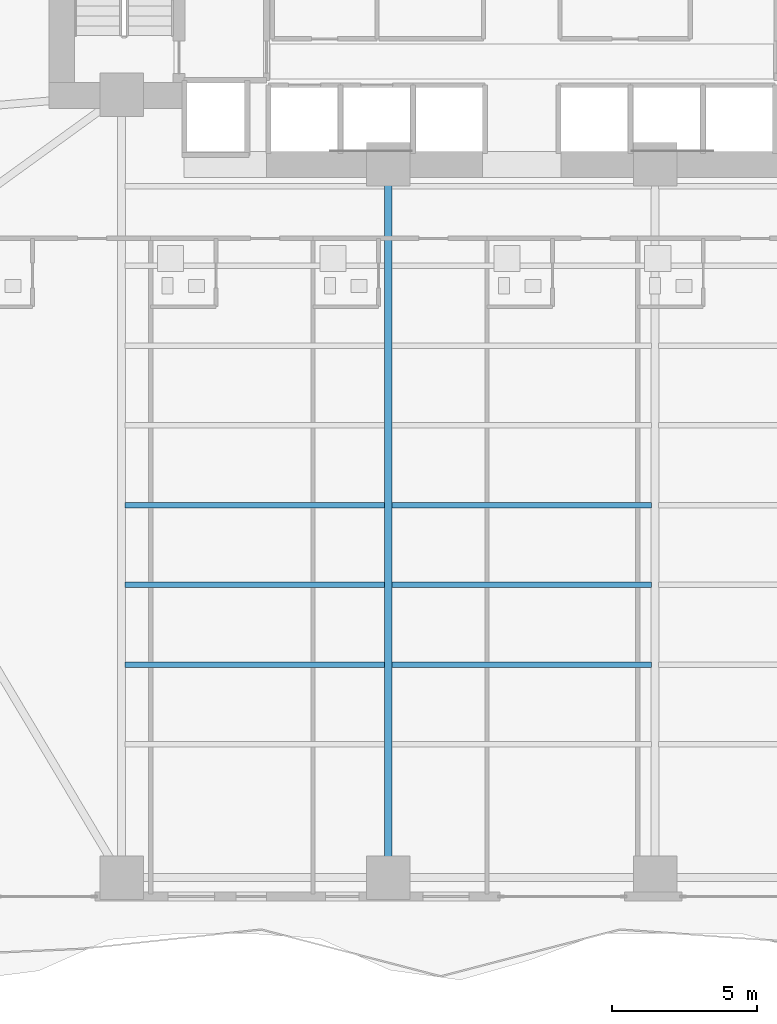
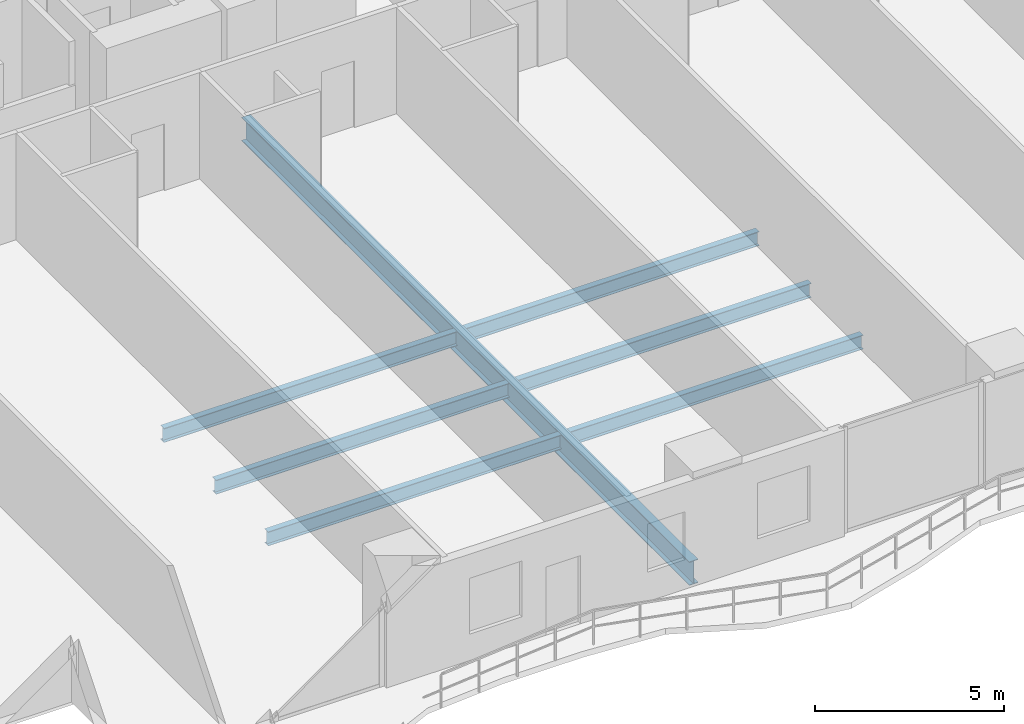
# One storey, part 5 of 28: 7 beams.
"""IFC4 building model written with IfcOpenShell, lengths in metres."""

from ifc_helpers import new_model, si_unit, direction, frame, origin, origin_2d, place, context, subcontext, project, spatial, i_section, extrude, material, material_profile, profile_set, type_object, element, save


model = new_model("IFC4")

# Units and contexts
model_context = context("Model", 3, precision=1e-05, world=origin(), true_north=direction((0.0, 1.0)))
body_context = subcontext(model_context, "Body", "Model", "MODEL_VIEW")
ifc_project = project(units=[si_unit("LENGTHUNIT", "METRE"), si_unit("AREAUNIT", "SQUARE_METRE"), si_unit("VOLUMEUNIT", "CUBIC_METRE"), si_unit("PLANEANGLEUNIT", "RADIAN"), si_unit("MASSUNIT", "GRAM", prefix="KILO")], contexts=[model_context])

# Site, building, storey
site_placement = place(None, origin())
site = spatial("IfcSite", under=ifc_project, at=site_placement, CompositionType="ELEMENT")
building_placement = place(site_placement, origin())
building = spatial("IfcBuilding", under=site, at=building_placement, Name="Zuhayl Quay Hotel", CompositionType="ELEMENT")
storey_placement = place(building_placement, frame((0.0, 0.0, 34.89990234375)))
storey = spatial("IfcBuildingStorey", under=building, at=storey_placement, Name="L07", CompositionType="ELEMENT", Elevation=34.89990234375)

# Beams
ifc_material = material(Name="Steel ASTM A992 Grade 50", Category="steel")
ifc_material_profile_1 = material_profile(ifc_material, i_section(OverallWidth=0.26708984375, OverallDepth=0.761962890625, WebThickness=0.014404296875, FlangeThickness=0.021484375, at=origin_2d()), Name="W30X116")
ifc_profile_set_1 = profile_set([ifc_material_profile_1], Name="Steel ASTM A992 Grade 50")
beam_type_1 = type_object("IfcBeamType", Name="BM_B1_W30X116", PredefinedType="BEAM", material=ifc_profile_set_1)
beam_1_placement = place(storey_placement, frame((-4.60009765625, -21.949951171875, -0.600830078125), z_axis=(0.0, 1.0, 0.0), x_axis=(-1.0, 0.0, 0.0)))
element("IfcBeam", 1, at=beam_1_placement, inside=storey, type_object=beam_type_1, Name="L07 Floor Beam FG_S_L07_2", PredefinedType="BEAM", context=body_context, shape_type="SweptSolid", body=[
    extrude(i_section(OverallWidth=0.26708984375, OverallDepth=0.761962890625, WebThickness=0.014404296875, FlangeThickness=0.021484375, at=origin_2d()), origin(), (0.0, 0.0, 1.0), 23.64990234375),
])
ifc_material_profile_2 = material_profile(ifc_material, i_section(OverallWidth=0.18994140625, OverallDepth=0.45703125, WebThickness=0.009033203125, FlangeThickness=0.014404296875, at=origin_2d()), Name="W18X50")
ifc_profile_set_2 = profile_set([ifc_material_profile_2], Name="Steel ASTM A992 Grade 50")
beam_type_2 = type_object("IfcBeamType", Name="BM_J2_W18X50", PredefinedType="JOIST", material=ifc_profile_set_2)
beam_2_placement = place(storey_placement, frame((-13.674560546875, -15.10009765625, -0.448486328125), z_axis=(1.0, 0.0, 0.0), x_axis=(0.0, 1.0, 0.0)))
element("IfcBeam", 2, at=beam_2_placement, inside=storey, type_object=beam_type_2, Name="L07 Floor Beam FJ_L07_4_1", PredefinedType="JOIST", context=body_context, shape_type="SweptSolid", body=[
    extrude(i_section(OverallWidth=0.18994140625, OverallDepth=0.45703125, WebThickness=0.009033203125, FlangeThickness=0.014404296875, at=origin_2d()), origin(), (0.0, 0.0, 1.0), 8.948974609375),
])
beam_3_placement = place(storey_placement, frame((-4.474609375, -15.10009765625, -0.448486328125), z_axis=(1.0, 0.0, 0.0), x_axis=(0.0, 1.0, 0.0)))
element("IfcBeam", 3, at=beam_3_placement, inside=storey, type_object=beam_type_2, Name="L07 Floor Beam FJ_L07_4_2", PredefinedType="JOIST", context=body_context, shape_type="SweptSolid", body=[
    extrude(i_section(OverallWidth=0.18994140625, OverallDepth=0.45703125, WebThickness=0.009033203125, FlangeThickness=0.014404296875, at=origin_2d()), origin(), (0.0, 0.0, 1.0), 8.94921875),
])
beam_4_placement = place(storey_placement, frame((-13.674560546875, -12.35009765625, -0.448486328125), z_axis=(1.0, 0.0, 0.0), x_axis=(0.0, 1.0, 0.0)))
element("IfcBeam", 4, at=beam_4_placement, inside=storey, type_object=beam_type_2, Name="L07 Floor Beam FJ_L07_5_1", PredefinedType="JOIST", context=body_context, shape_type="SweptSolid", body=[
    extrude(i_section(OverallWidth=0.18994140625, OverallDepth=0.45703125, WebThickness=0.009033203125, FlangeThickness=0.014404296875, at=origin_2d()), origin(), (0.0, 0.0, 1.0), 8.948974609375),
])
beam_5_placement = place(storey_placement, frame((-4.474609375, -12.35009765625, -0.448486328125), z_axis=(1.0, 0.0, 0.0), x_axis=(0.0, 1.0, 0.0)))
element("IfcBeam", 5, at=beam_5_placement, inside=storey, type_object=beam_type_2, Name="L07 Floor Beam FJ_L07_5_2", PredefinedType="JOIST", context=body_context, shape_type="SweptSolid", body=[
    extrude(i_section(OverallWidth=0.18994140625, OverallDepth=0.45703125, WebThickness=0.009033203125, FlangeThickness=0.014404296875, at=origin_2d()), origin(), (0.0, 0.0, 1.0), 8.94921875),
])
beam_6_placement = place(storey_placement, frame((-13.674560546875, -9.60009765625, -0.448486328125), z_axis=(1.0, 0.0, 0.0), x_axis=(0.0, 1.0, 0.0)))
element("IfcBeam", 6, at=beam_6_placement, inside=storey, type_object=beam_type_2, Name="L07 Floor Beam FJ_L07_6_1", PredefinedType="JOIST", context=body_context, shape_type="SweptSolid", body=[
    extrude(i_section(OverallWidth=0.18994140625, OverallDepth=0.45703125, WebThickness=0.009033203125, FlangeThickness=0.014404296875, at=origin_2d()), origin(), (0.0, 0.0, 1.0), 8.948974609375),
])
beam_7_placement = place(storey_placement, frame((-4.474609375, -9.60009765625, -0.448486328125), z_axis=(1.0, 0.0, 0.0), x_axis=(0.0, 1.0, 0.0)))
element("IfcBeam", 7, at=beam_7_placement, inside=storey, type_object=beam_type_2, Name="L07 Floor Beam FJ_L07_6_2", PredefinedType="JOIST", context=body_context, shape_type="SweptSolid", body=[
    extrude(i_section(OverallWidth=0.18994140625, OverallDepth=0.45703125, WebThickness=0.009033203125, FlangeThickness=0.014404296875, at=origin_2d()), origin(), (0.0, 0.0, 1.0), 8.94921875),
])

save(model, "model.ifc")
